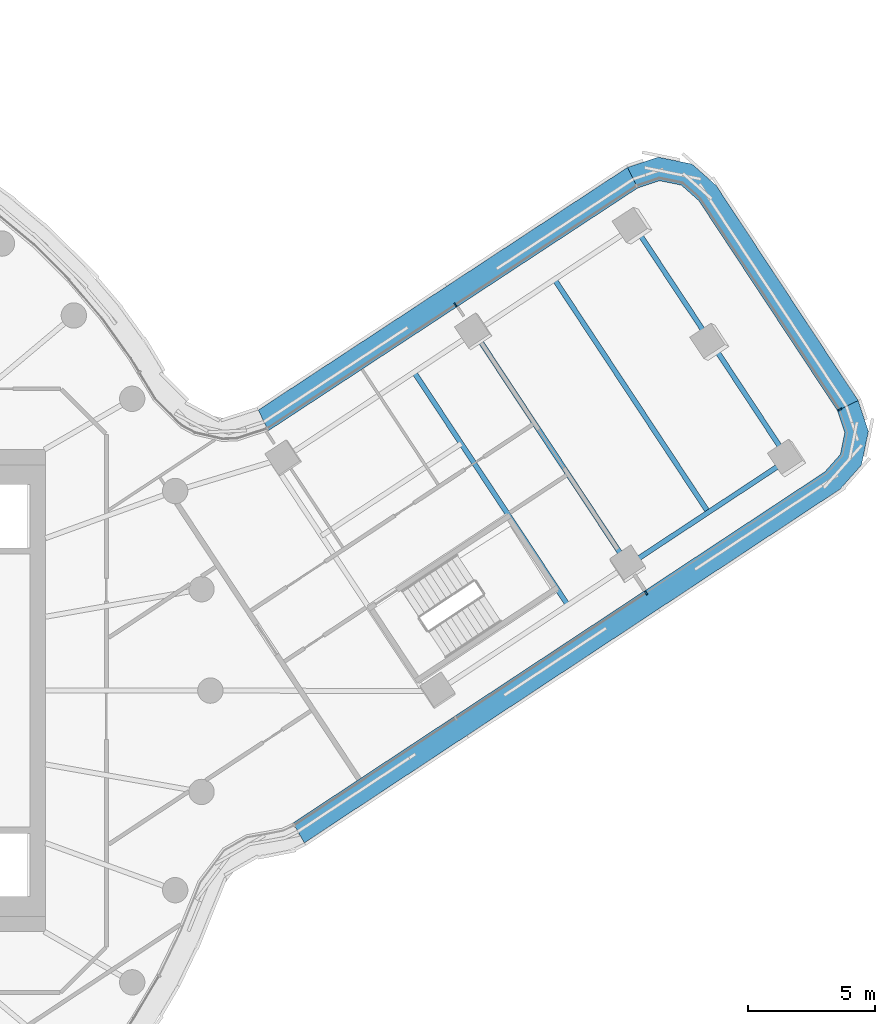
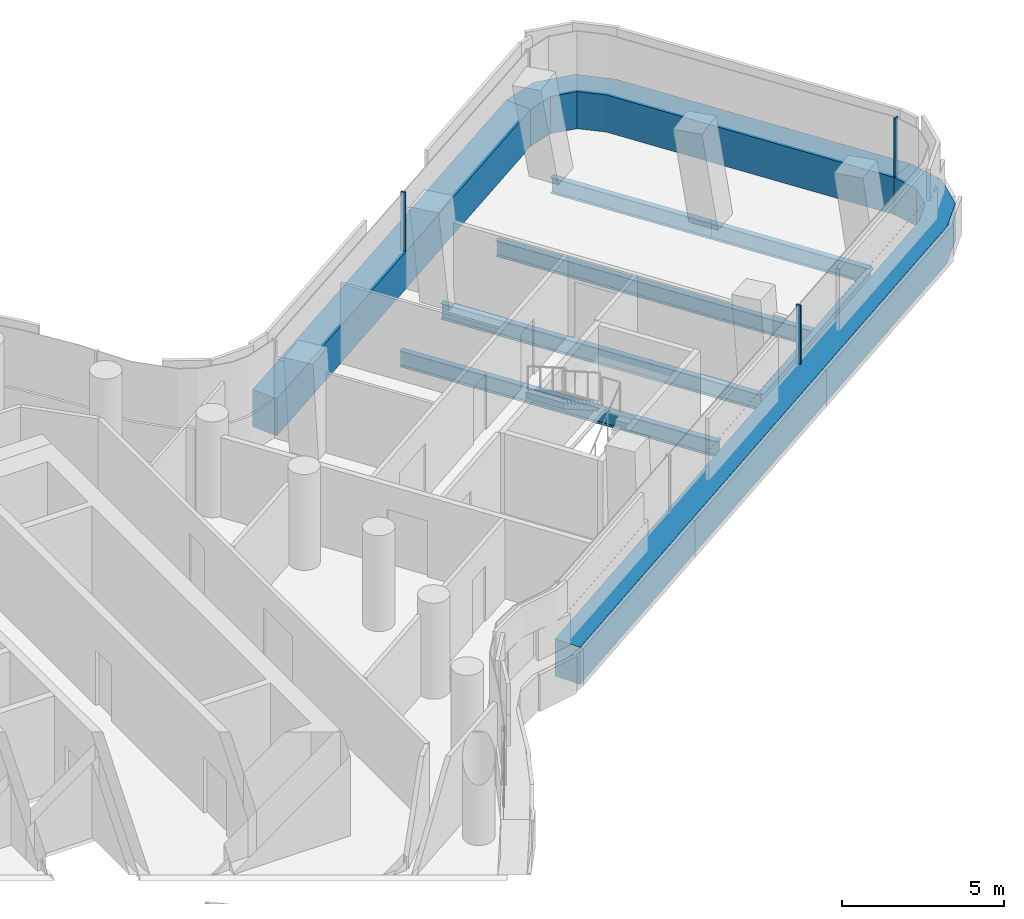
# One storey, part 14 of 35: 6 beams, 6 members, 3 elements without a shape of their own.
"""IFC4 building model written with IfcOpenShell, lengths in metres."""

from ifc_helpers import new_model, si_unit, direction, frame, origin, origin_2d, place, context, subcontext, project, spatial, polyline, rectangle, i_section, outline, extrude, material, layer, layer_set, material_profile, profile_set, type_object, element, aggregate, save


model = new_model("IFC4")

# Units and contexts
model_context = context("Model", 3, precision=1e-05, world=origin(), true_north=direction((0.0, 1.0)))
body_context = subcontext(model_context, "Body", "Model", "MODEL_VIEW")
ifc_project = project(units=[si_unit("LENGTHUNIT", "METRE"), si_unit("AREAUNIT", "SQUARE_METRE"), si_unit("VOLUMEUNIT", "CUBIC_METRE"), si_unit("PLANEANGLEUNIT", "RADIAN"), si_unit("MASSUNIT", "GRAM", prefix="KILO")], contexts=[model_context])

# Site, building, storey
site_placement = place(None, origin())
site = spatial("IfcSite", under=ifc_project, at=site_placement, CompositionType="ELEMENT")
building_placement = place(site_placement, origin())
building = spatial("IfcBuilding", under=site, at=building_placement, Name="Tamarind Cross Interchange Tower", CompositionType="ELEMENT")
storey_placement = place(building_placement, frame((0.0, 0.0, 155.5)))
storey = spatial("IfcBuildingStorey", under=building, at=storey_placement, Name="L38", CompositionType="ELEMENT", Elevation=155.5)

# Beams
ifc_material_1 = material(Name="Steel Q355B", Category="steel")
ifc_material_profile_1 = material_profile(ifc_material_1, i_section(OverallWidth=0.198974609375, OverallDepth=0.49609375, WebThickness=0.009033203125, FlangeThickness=0.013916015625, FilletRadius=0.012939453125, at=origin_2d()), Name="HN 496x199x9x14")
ifc_profile_set_1 = profile_set([ifc_material_profile_1], Name="Steel Q355B")
beam_type_1 = type_object("IfcBeamType", Name="Composite beam HN 496x199x9x14 Q355B", PredefinedType="BEAM", material=ifc_profile_set_1)
beam_1_placement = place(storey_placement, frame((45.78271484375, 9.111328125, -0.387939453125), z_axis=(-0.83452366683, -0.550972095029, 0.0), x_axis=(0.550972095029, -0.83452366683, 0.0)))
element("IfcBeam", 1, at=beam_1_placement, inside=storey, type_object=beam_type_1, Name="Beam E-edgeem5", PredefinedType="BEAM", context=body_context, shape_type="SweptSolid", body=[
    extrude(i_section(OverallWidth=0.198974609375, OverallDepth=0.49609375, WebThickness=0.009033203125, FlangeThickness=0.013916015625, FilletRadius=0.012939453125, at=origin_2d()), origin(), (0.0, 0.0, 1.0), 7.5673828125),
])
ifc_material_profile_2 = material_profile(ifc_material_1, i_section(OverallWidth=0.199951171875, OverallDepth=0.60009765625, WebThickness=0.010986328125, FlangeThickness=0.01708984375, FilletRadius=0.012939453125, at=origin_2d()), Name="HN 600x200x11x17")
ifc_profile_set_2 = profile_set([ifc_material_profile_2], Name="Steel Q355B")
beam_type_2 = type_object("IfcBeamType", Name="Composite beam HN 600x200x11x17 Q355B", PredefinedType="BEAM", material=ifc_profile_set_2)
for number, where, z_axis, x_axis, name in (
    (2, (45.78271484375, 9.111328125, -0.43994140625), (-0.550965885132, 0.834527766716, 0.0), (-0.834527766716, -0.550965885132, 0.0), "Beam E-tip0"),
    (3, (42.75244140625, 13.701171875, -0.43994140625), (-0.550996798662, 0.834507356387, 0.0), (-0.834507356387, -0.550996798662, 0.0), "Beam E-tip1"),
):
    element("IfcBeam", number, at=place(storey_placement, frame(where, z_axis=z_axis, x_axis=x_axis)), inside=storey, type_object=beam_type_2, Name=name, PredefinedType="BEAM", context=body_context, shape_type="SweptSolid", body=[
        extrude(i_section(OverallWidth=0.199951171875, OverallDepth=0.60009765625, WebThickness=0.010986328125, FlangeThickness=0.01708984375, FilletRadius=0.012939453125, at=origin_2d()), origin(), (0.0, 0.0, 1.0), 5.5),
    ])
beam_2_placement = place(storey_placement, frame((37.089111328125, 3.37158203125, -0.43994140625), z_axis=(-0.550955680152, 0.834534504085, 0.0), x_axis=(-0.834534504085, -0.550955680152, 0.0)))
element("IfcBeam", 4, at=beam_2_placement, inside=storey, type_object=beam_type_2, Name="Beam E-x364", PredefinedType="BEAM", context=body_context, shape_type="SweptSolid", body=[
    extrude(i_section(OverallWidth=0.199951171875, OverallDepth=0.60009765625, WebThickness=0.010986328125, FlangeThickness=0.01708984375, FilletRadius=0.012939453125, at=origin_2d()), origin(), (0.0, 0.0, 1.0), 11.0),
])
beam_3_placement = place(storey_placement, frame((39.467529296875, 4.94189453125, -0.43994140625), z_axis=(-0.550965885132, 0.834527766716, 0.0), x_axis=(-0.834527766716, -0.550965885132, 0.0)))
element("IfcBeam", 5, at=beam_3_placement, inside=storey, type_object=beam_type_2, Name="Beam E-x393", PredefinedType="BEAM", context=body_context, shape_type="SweptSolid", body=[
    extrude(i_section(OverallWidth=0.199951171875, OverallDepth=0.60009765625, WebThickness=0.010986328125, FlangeThickness=0.01708984375, FilletRadius=0.012939453125, at=origin_2d()), origin(), (0.0, 0.0, 1.0), 10.999755859375),
])
beam_4_placement = place(storey_placement, frame((42.625244140625, 7.026611328125, -0.43994140625), z_axis=(-0.55098134218, 0.83451756157, 0.0), x_axis=(-0.83451756157, -0.55098134218, 0.0)))
element("IfcBeam", 6, at=beam_4_placement, inside=storey, type_object=beam_type_2, Name="Beam E-x431", PredefinedType="BEAM", context=body_context, shape_type="SweptSolid", body=[
    extrude(i_section(OverallWidth=0.199951171875, OverallDepth=0.60009765625, WebThickness=0.010986328125, FlangeThickness=0.01708984375, FilletRadius=0.012939453125, at=origin_2d()), origin(), (0.0, 0.0, 1.0), 11.0),
])

# Curtain wall, member
ifc_material_2 = material(Name="Aluminium 6063-T6", Category="aluminium")
ifc_layer = layer(ifc_material_2, 0.159912109375)
ifc_layer_set = layer_set([ifc_layer], Name="Aluminium 6063-T6")
curtain_wall_type = type_object("IfcCurtainWallType", Name="Office curtain wall, 9.0 m bays", PredefinedType="NOTDEFINED", material=ifc_layer_set)
curtain_wall_1_placement = place(storey_placement, origin())
curtain_wall_1 = element("IfcCurtainWall", 7, at=curtain_wall_1_placement, inside=storey, type_object=curtain_wall_type, Name="CWS-L38-11", PredefinedType="NOTDEFINED")
ifc_material_3 = material(Name="Aluminium and insulated spandrel panel", Category="aluminium")
member_type_1 = type_object("IfcMemberType", Name="Floor-edge blade transom", PredefinedType="USERDEFINED", material=ifc_material_3)
member_1_placement = place(storey_placement, origin())
member_1 = element("IfcMember", 8, at=member_1_placement, type_object=member_type_1, Name="CWT-L38-11", ObjectType="TRANSOM", PredefinedType="USERDEFINED", context=body_context, shape_type="SweptSolid", body=[
    extrude(outline(polyline([(26.25732421875, -5.2177734375), (47.222412109375, 8.623779296875), (47.829833984375, 9.308837890625), (48.005126953125, 10.16552734375), (47.715576171875, 11.033935546875), (48.531982421875, 11.430908203125), (48.935302734375, 10.22119140625), (48.6630859375, 8.89208984375), (47.817138671875, 7.93798828125), (26.703857421875, -6.00146484375), (26.25732421875, -5.2177734375)])), origin(), (0.0, 0.0, 1.0), 1.39990234375),
])

curtain_wall_2_placement = place(storey_placement, origin())
curtain_wall_2 = element("IfcCurtainWall", 9, at=curtain_wall_2_placement, inside=storey, type_object=curtain_wall_type, Name="CWS-L38-12", PredefinedType="NOTDEFINED")
member_2_placement = place(storey_placement, origin())
member_2 = element("IfcMember", 10, at=member_2_placement, type_object=member_type_1, Name="CWT-L38-12", ObjectType="TRANSOM", PredefinedType="USERDEFINED", context=body_context, shape_type="SweptSolid", body=[
    extrude(outline(polyline([(47.715576171875, 11.033935546875), (42.24951171875, 19.313232421875), (41.564697265625, 19.920654296875), (40.707763671875, 20.095947265625), (39.839111328125, 19.806396484375), (39.443115234375, 20.623046875), (40.652099609375, 21.026123046875), (41.9814453125, 20.75390625), (42.935302734375, 19.907958984375), (48.531982421875, 11.430908203125), (47.715576171875, 11.033935546875)])), origin(), (0.0, 0.0, 1.0), 1.39990234375),
])

curtain_wall_3_placement = place(storey_placement, origin())
curtain_wall_3 = element("IfcCurtainWall", 11, at=curtain_wall_3_placement, inside=storey, type_object=curtain_wall_type, Name="CWS-L38-13", PredefinedType="NOTDEFINED")
member_3_placement = place(storey_placement, origin())
member_3 = element("IfcMember", 12, at=member_3_placement, type_object=member_type_1, Name="CWT-L38-13", ObjectType="TRANSOM", PredefinedType="USERDEFINED", context=body_context, shape_type="SweptSolid", body=[
    extrude(outline(polyline([(39.839111328125, 19.806396484375), (25.28173828125, 10.23828125), (24.888671875, 11.056884765625), (39.443115234375, 20.623046875), (39.839111328125, 19.806396484375)])), origin(), (0.0, 0.0, 1.0), 1.39990234375),
])

# Member
ifc_material_profile_3 = material_profile(ifc_material_2, rectangle(XDim=0.06005859375, YDim=0.159912109375, at=origin_2d()), Name="Mullion CW1")
ifc_profile_set_3 = profile_set([ifc_material_profile_3], Name="Aluminium 6063-T6")
member_type_2 = type_object("IfcMemberType", Name="Mullion CW1", PredefinedType="MULLION", material=ifc_profile_set_3)
member_4_placement = place(storey_placement, frame((40.173095703125, 3.849853515625, 1.39990234375), z_axis=(0.0, 0.0, 1.0), x_axis=(0.834524900963, 0.550970225759, 0.0)))
member_4 = element("IfcMember", 13, at=member_4_placement, type_object=member_type_2, Name="CWM-L38-11-02", PredefinedType="MULLION", context=body_context, shape_type="SweptSolid", body=[
    extrude(rectangle(XDim=0.06005859375, YDim=0.159912109375, at=origin_2d()), origin(), (0.0, 0.0, 1.0), 2.210205078125),
])

aggregate(curtain_wall_1, [member_4, member_1])

member_5_placement = place(storey_placement, frame((47.806396484375, 11.078125, 1.39990234375), z_axis=(0.0, 0.0, 1.0), x_axis=(-0.437329241463, 0.899301470343, 0.0)))
member_5 = element("IfcMember", 14, at=member_5_placement, type_object=member_type_2, Name="CWM-L38-12-00", PredefinedType="MULLION", context=body_context, shape_type="SweptSolid", body=[
    extrude(rectangle(XDim=0.06005859375, YDim=0.159912109375, at=origin_2d()), origin(), (0.0, 0.0, 1.0), 2.210205078125),
])

aggregate(curtain_wall_2, [member_5, member_2])

member_6_placement = place(storey_placement, frame((32.658447265625, 15.20654296875, 1.39990234375), z_axis=(0.0, 0.0, 1.0), x_axis=(-0.835659570214, -0.549247742562, 0.0)))
member_6 = element("IfcMember", 15, at=member_6_placement, type_object=member_type_2, Name="CWM-L38-13-01", PredefinedType="MULLION", context=body_context, shape_type="SweptSolid", body=[
    extrude(rectangle(XDim=0.06005859375, YDim=0.159912109375, at=origin_2d()), origin(), (0.0, 0.0, 1.0), 2.210205078125),
])

aggregate(curtain_wall_3, [member_6, member_3])

save(model, "model.ifc")
